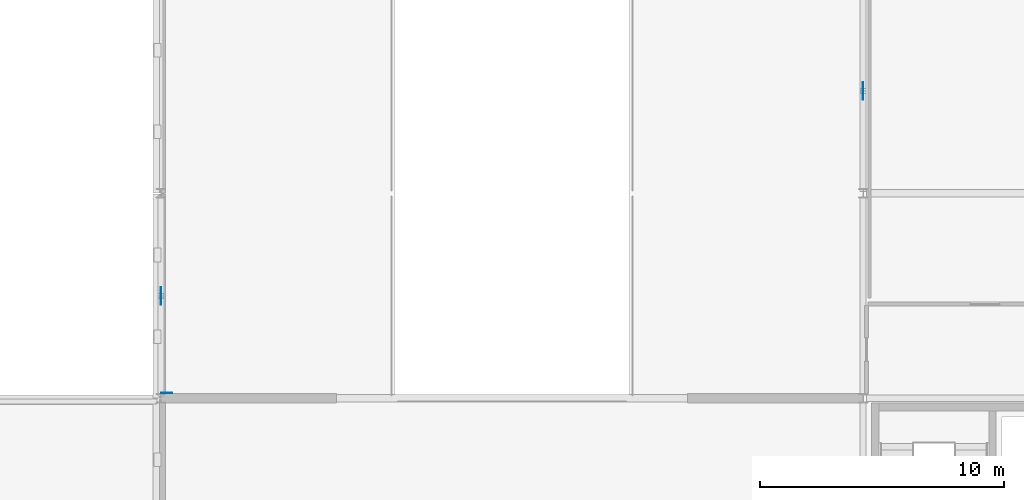
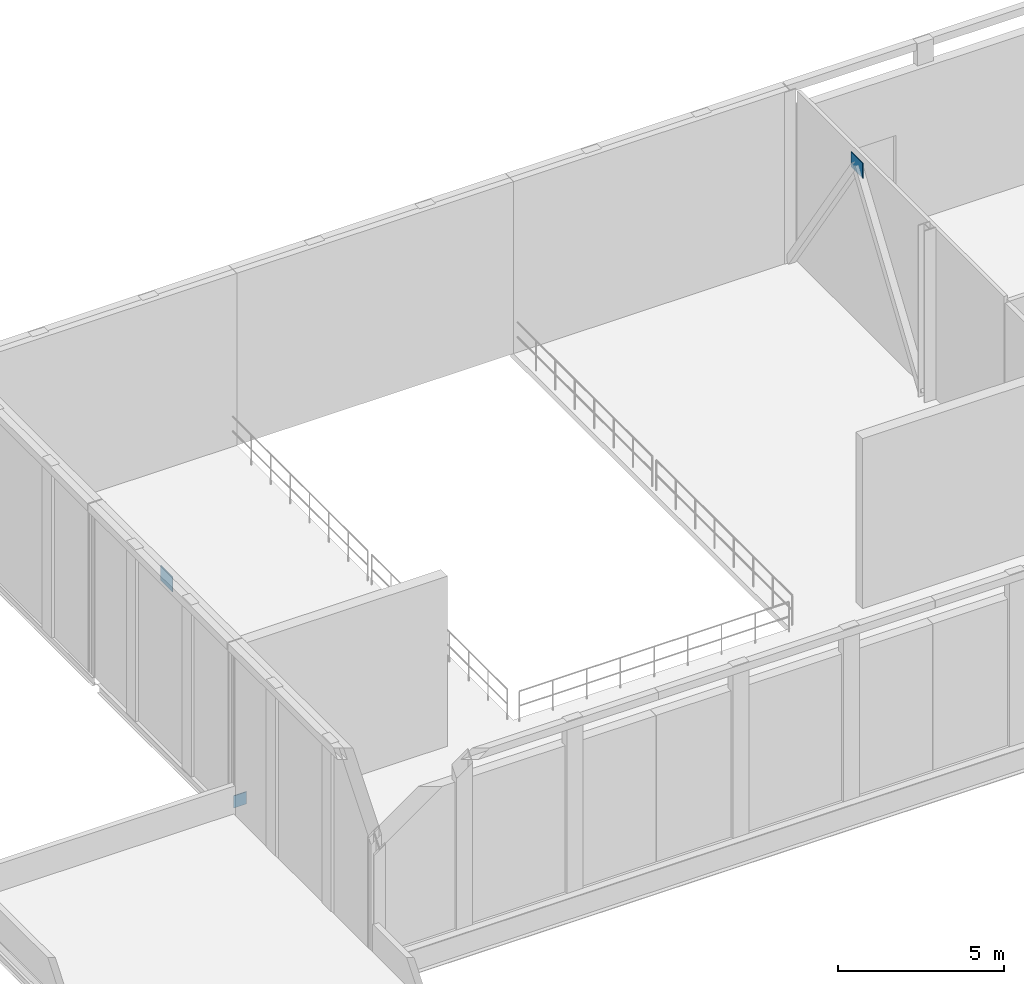
# One storey, part 4 of 9: 3 plates.
"""IFC4 building model written with IfcOpenShell, lengths in metres."""

from ifc_helpers import new_model, si_unit, direction, frame, origin, origin_2d, place, context, subcontext, project, spatial, rectangle, extrude, material, layer, layer_set, type_object, element, save


model = new_model("IFC4")

# Units and contexts
model_context = context("Model", 3, precision=1e-05, world=origin(), true_north=direction((0.0, 1.0)))
body_context = subcontext(model_context, "Body", "Model", "MODEL_VIEW")
ifc_project = project(units=[si_unit("LENGTHUNIT", "METRE"), si_unit("AREAUNIT", "SQUARE_METRE"), si_unit("VOLUMEUNIT", "CUBIC_METRE"), si_unit("PLANEANGLEUNIT", "RADIAN"), si_unit("MASSUNIT", "GRAM", prefix="KILO")], contexts=[model_context])

# Site, building, storey
site_placement = place(None, origin())
site = spatial("IfcSite", under=ifc_project, at=site_placement, CompositionType="ELEMENT")
building_placement = place(site_placement, origin())
building = spatial("IfcBuilding", under=site, at=building_placement, Name="Lornevale Opera House", CompositionType="ELEMENT")
storey_placement = place(building_placement, frame((0.0, 0.0, 24.60009765625)))
storey = spatial("IfcBuildingStorey", under=building, at=storey_placement, Name="L06", CompositionType="ELEMENT", Elevation=24.60009765625)

# Plates
ifc_material = material(Name="Structural Steel CSA G40.21 Grade 350W (350 MPa)", Category="steel")
ifc_layer_1 = layer(ifc_material, 0.02490234375)
ifc_layer_set_1 = layer_set([ifc_layer_1], Name="Structural Steel CSA G40.21 Grade 350W (350 MPa)")
plate_type_1 = type_object("IfcPlateType", Name="Brace Cast-in Wall Plate 450x450x25", PredefinedType="USERDEFINED", material=ifc_layer_set_1)
plate_placement = place(storey_placement, frame((67.43505859375, 67.41259765625, 0.0), z_axis=(0.0, 0.0, 1.0), x_axis=(1.0, 0.0, 0.0)))
element("IfcPlate", 1, at=plate_placement, inside=storey, type_object=plate_type_1, Name="Brace Cast-in Wall Plate PT-BW-0002", ObjectType="GUSSET PLATE", PredefinedType="USERDEFINED", context=body_context, shape_type="SweptSolid", body=[
    extrude(rectangle(XDim=0.449951171875, YDim=0.02490234375, at=origin_2d()), origin(), (0.0, 0.0, 1.0), 0.449951171875),
])
ifc_layer_2 = layer(ifc_material, 0.02392578125)
ifc_layer_set_2 = layer_set([ifc_layer_2], Name="Structural Steel CSA G40.21 Grade 350W (350 MPa)")
plate_type_2 = type_object("IfcPlateType", Name="Chevron Brace Gusset 720x550x24", PredefinedType="USERDEFINED", material=ifc_layer_set_2)
for number, where, z_axis, x_axis, name in (
    (2, (67.199951171875, 71.39990234375, 5.72509765625), (0.0, 0.0, 1.0), (0.0, 1.0, 0.0), "Chevron Brace Gusset PT-0058"),
    (3, (96.0, 79.800048828125, 5.72509765625), (0.0, 0.0, 1.0), (0.0, 1.0, 0.0), "Chevron Brace Gusset PT-0064"),
):
    element("IfcPlate", number, at=place(storey_placement, frame(where, z_axis=z_axis, x_axis=x_axis)), inside=storey, type_object=plate_type_2, Name=name, ObjectType="GUSSET PLATE", PredefinedType="USERDEFINED", context=body_context, shape_type="SweptSolid", body=[
        extrude(rectangle(XDim=0.719970703125, YDim=0.02392578125, at=origin_2d()), origin(), (0.0, 0.0, 1.0), 0.550048828125),
    ])

save(model, "model.ifc")
